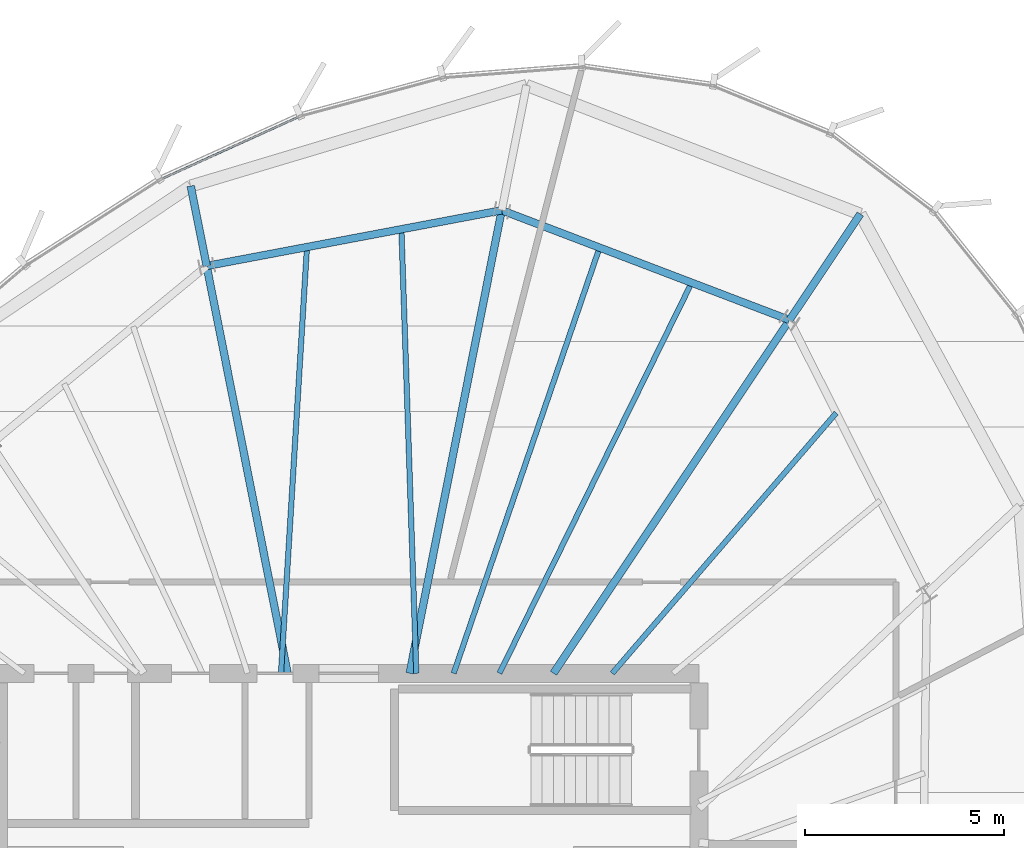
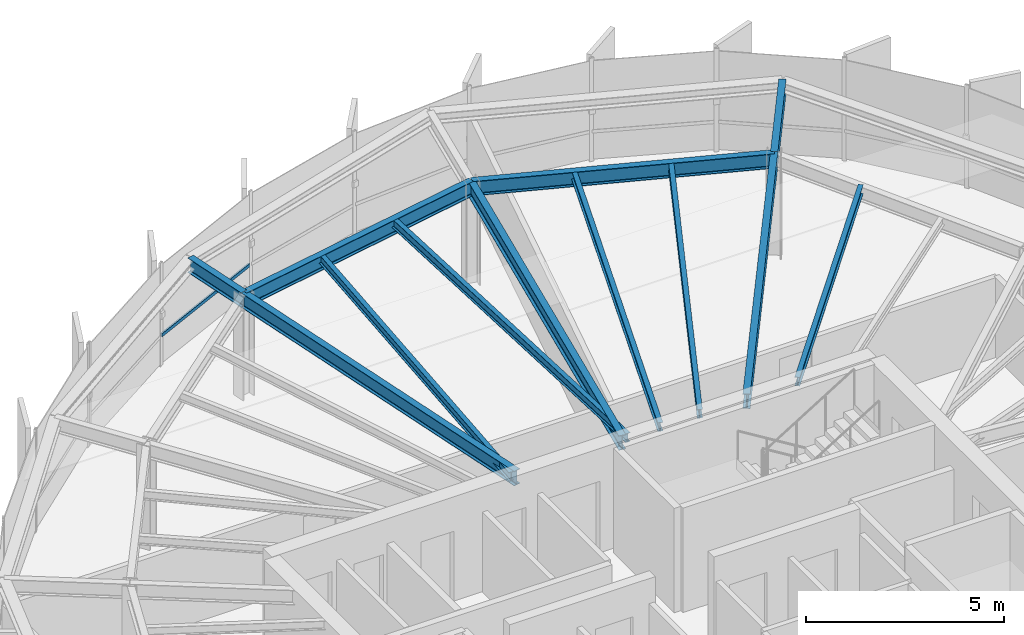
# One storey, part 20 of 31: 12 beams, 1 member, 1 element without a shape of its own.
"""IFC4 building model written with IfcOpenShell, lengths in metres."""

from ifc_helpers import new_model, si_unit, direction, frame, origin, origin_2d, place, context, subcontext, project, spatial, hollow_rectangle, i_section, extrude, source, transform, mapped, material, layer, layer_set, material_profile, profile_set, type_object, element, aggregate, save


model = new_model("IFC4")

# Units and contexts
model_context = context("Model", 3, precision=1e-05, world=origin(), true_north=direction((0.0, 1.0)))
body_context = subcontext(model_context, "Body", "Model", "MODEL_VIEW")
ifc_project = project(units=[si_unit("LENGTHUNIT", "METRE"), si_unit("AREAUNIT", "SQUARE_METRE"), si_unit("VOLUMEUNIT", "CUBIC_METRE"), si_unit("PLANEANGLEUNIT", "RADIAN"), si_unit("MASSUNIT", "GRAM", prefix="KILO"), si_unit("THERMODYNAMICTEMPERATUREUNIT", "KELVIN")], contexts=[model_context])

# Site, building, storey
site_placement = place(None, origin())
site = spatial("IfcSite", under=ifc_project, at=site_placement, CompositionType="ELEMENT")
building_placement = place(site_placement, origin())
building = spatial("IfcBuilding", under=site, at=building_placement, Name="Kethvar Cultural Tower", CompositionType="ELEMENT")
storey_placement = place(building_placement, frame((0.0, 0.0, 276.699951171875)))
storey = spatial("IfcBuildingStorey", under=building, at=storey_placement, Name="L73", CompositionType="ELEMENT", Elevation=276.699951171875)

# Beams
ifc_material_1 = material(Name="Steel S355J2", Category="steel")
ifc_material_profile_1 = material_profile(ifc_material_1, i_section(OverallWidth=0.18994140625, OverallDepth=0.449951171875, WebThickness=0.009521484375, FlangeThickness=0.0146484375, FilletRadius=0.02099609375, at=origin_2d()), Name="Steel S355J2 — IPE450")
ifc_profile_set_1 = profile_set([ifc_material_profile_1], Name="Steel S355J2 — IPE450")
beam_type_1 = type_object("IfcBeamType", Name="BM-IPE450", PredefinedType="BEAM", material=ifc_profile_set_1)
shared_shape_1 = source(origin(), body_context, "Body", "SweptSolid", [
    extrude(i_section(OverallWidth=0.18994140625, OverallDepth=0.449951171875, WebThickness=0.009521484375, FlangeThickness=0.0146484375, FilletRadius=0.02099609375, at=origin_2d()), origin(), (0.0, 0.0, 1.0), 10.673828125),
])
beam_1_placement = place(storey_placement, frame((51.945068359375, 35.5, 2.983154296875), z_axis=(0.555576086183, 0.831465701314, 0.0), x_axis=(-0.831465701314, 0.555576086183, 0.0)))
element("IfcBeam", 1, at=beam_1_placement, inside=storey, type_object=beam_type_1, Name="L73 Primary Radial Beam RB-03", PredefinedType="BEAM", context=body_context, shape_type="MappedRepresentation", body=[
    mapped(shared_shape_1, transform((0.0, 0.0, 0.0), scale=1.0)),
])
shared_shape_2 = source(origin(), body_context, "Body", "SweptSolid", [
    extrude(i_section(OverallWidth=0.18994140625, OverallDepth=0.449951171875, WebThickness=0.009521484375, FlangeThickness=0.0146484375, FilletRadius=0.02099609375, at=origin_2d()), origin(), (0.0, 0.0, 1.0), 3.2001953125),
])
beam_2_placement = place(storey_placement, frame((57.875244140625, 44.375, 2.983154296875), z_axis=(0.555544970406, 0.831486491686, 0.0), x_axis=(-0.831486491686, 0.555544970406, 0.0)))
element("IfcBeam", 2, at=beam_2_placement, inside=storey, type_object=beam_type_1, Name="L73 Perimeter Cantilever Beam RC-03", PredefinedType="BEAM", context=body_context, shape_type="MappedRepresentation", body=[
    mapped(shared_shape_2, transform((0.0, 0.0, 0.0), scale=1.0)),
])
shared_shape_3 = source(origin(), body_context, "Body", "SweptSolid", [
    extrude(i_section(OverallWidth=0.18994140625, OverallDepth=0.449951171875, WebThickness=0.009521484375, FlangeThickness=0.0146484375, FilletRadius=0.02099609375, at=origin_2d()), origin(), (0.0, 0.0, 1.0), 11.859375),
])
beam_3_placement = place(storey_placement, frame((48.33154296875, 35.5, 2.983154296875), z_axis=(0.195094640585, 0.980784421377, 0.0), x_axis=(-0.980784421377, 0.195094640585, 0.0)))
element("IfcBeam", 3, at=beam_3_placement, inside=storey, type_object=beam_type_1, Name="L73 Primary Radial Beam RB-04", PredefinedType="BEAM", context=body_context, shape_type="MappedRepresentation", body=[
    mapped(shared_shape_3, transform((0.0, 0.0, 0.0), scale=1.0)),
])
shared_shape_4 = source(origin(), body_context, "Body", "SweptSolid", [
    extrude(i_section(OverallWidth=0.18994140625, OverallDepth=0.449951171875, WebThickness=0.009521484375, FlangeThickness=0.0146484375, FilletRadius=0.02099609375, at=origin_2d()), origin(), (0.0, 0.0, 1.0), 10.432861328125),
])
beam_4_placement = place(storey_placement, frame((45.268310546875, 35.5, 2.983154296875), z_axis=(-0.195094483249, 0.980784452673, 0.0), x_axis=(-0.980784452673, -0.195094483249, 0.0)))
element("IfcBeam", 4, at=beam_4_placement, inside=storey, type_object=beam_type_1, Name="L73 Primary Radial Beam RB-05", PredefinedType="BEAM", context=body_context, shape_type="MappedRepresentation", body=[
    mapped(shared_shape_4, transform((0.0, 0.0, 0.0), scale=1.0)),
])
ifc_material_profile_2 = material_profile(ifc_material_1, i_section(OverallWidth=0.135009765625, OverallDepth=0.27001953125, WebThickness=0.006591796875, FlangeThickness=0.01025390625, FilletRadius=0.014892578125, at=origin_2d()), Name="Steel S355J2 — IPE270")
ifc_profile_set_2 = profile_set([ifc_material_profile_2], Name="Steel S355J2 — IPE270")
beam_type_2 = type_object("IfcBeamType", Name="BM-J270", PredefinedType="JOIST", material=ifc_profile_set_2)
shared_shape_5 = source(origin(), body_context, "Body", "SweptSolid", [
    extrude(i_section(OverallWidth=0.135009765625, OverallDepth=0.27001953125, WebThickness=0.006591796875, FlangeThickness=0.01025390625, FilletRadius=0.014892578125, at=origin_2d()), origin(), (0.0, 0.0, 1.0), 8.6259765625),
])
beam_5_placement = place(storey_placement, frame((53.42333984375, 35.5, 3.072998046875), z_axis=(0.65210499689, 0.758128665222, 0.0), x_axis=(-0.758128665222, 0.65210499689, 0.0)))
element("IfcBeam", 5, at=beam_5_placement, inside=storey, type_object=beam_type_2, Name="L73 Composite Floor Joist J-02B", PredefinedType="JOIST", context=body_context, shape_type="MappedRepresentation", body=[
    mapped(shared_shape_5, transform((0.0, 0.0, 0.0), scale=1.0)),
])
shared_shape_6 = source(origin(), body_context, "Body", "SweptSolid", [
    extrude(i_section(OverallWidth=0.18994140625, OverallDepth=0.449951171875, WebThickness=0.009521484375, FlangeThickness=0.0146484375, FilletRadius=0.02099609375, at=origin_2d()), origin(), (0.0, 0.0, 1.0), 7.737548828125),
])
beam_6_placement = place(storey_placement, frame((57.875244140625, 44.375, 2.983154296875), z_axis=(-0.934388230776, 0.356256416347, 0.0), x_axis=(-0.356256416347, -0.934388230776, 0.0)))
element("IfcBeam", 6, at=beam_6_placement, inside=storey, type_object=beam_type_1, Name="L73 Column Ring Tie Beam CR-03", PredefinedType="BEAM", context=body_context, shape_type="MappedRepresentation", body=[
    mapped(shared_shape_6, transform((0.0, 0.0, 0.0), scale=1.0)),
])
shared_shape_7 = source(origin(), body_context, "Body", "SweptSolid", [
    extrude(i_section(OverallWidth=0.135009765625, OverallDepth=0.27001953125, WebThickness=0.006591796875, FlangeThickness=0.01025390625, FilletRadius=0.014892578125, at=origin_2d()), origin(), (0.0, 0.0, 1.0), 10.935791015625),
])
beam_7_placement = place(storey_placement, frame((50.5888671875, 35.5, 3.072998046875), z_axis=(0.441498236677, 0.897262117227, 0.0), x_axis=(-0.897262117227, 0.441498236677, 0.0)))
element("IfcBeam", 7, at=beam_7_placement, inside=storey, type_object=beam_type_2, Name="L73 Composite Floor Joist J-03A", PredefinedType="JOIST", context=body_context, shape_type="MappedRepresentation", body=[
    mapped(shared_shape_7, transform((0.0, 0.0, 0.0), scale=1.0)),
])
shared_shape_8 = source(origin(), body_context, "Body", "SweptSolid", [
    extrude(i_section(OverallWidth=0.135009765625, OverallDepth=0.27001953125, WebThickness=0.006591796875, FlangeThickness=0.01025390625, FilletRadius=0.014892578125, at=origin_2d()), origin(), (0.0, 0.0, 1.0), 11.304931640625),
])
beam_8_placement = place(storey_placement, frame((49.438720703125, 35.5, 3.072998046875), z_axis=(0.324179110764, 0.945995720997, 0.0), x_axis=(-0.945995720997, 0.324179110764, 0.0)))
element("IfcBeam", 8, at=beam_8_placement, inside=storey, type_object=beam_type_2, Name="L73 Composite Floor Joist J-03B", PredefinedType="JOIST", context=body_context, shape_type="MappedRepresentation", body=[
    mapped(shared_shape_8, transform((0.0, 0.0, 0.0), scale=1.0)),
])
shared_shape_9 = source(origin(), body_context, "Body", "SweptSolid", [
    extrude(i_section(OverallWidth=0.18994140625, OverallDepth=0.449951171875, WebThickness=0.009521484375, FlangeThickness=0.0146484375, FilletRadius=0.02099609375, at=origin_2d()), origin(), (0.0, 0.0, 1.0), 7.543212890625),
])
beam_9_placement = place(storey_placement, frame((50.645263671875, 47.131591796875, 2.983154296875), z_axis=(-0.982646853086, -0.185486285532, 0.0), x_axis=(0.185486285532, -0.982646853086, 0.0)))
element("IfcBeam", 9, at=beam_9_placement, inside=storey, type_object=beam_type_1, Name="L73 Column Ring Tie Beam CR-04", PredefinedType="BEAM", context=body_context, shape_type="MappedRepresentation", body=[
    mapped(shared_shape_9, transform((0.0, 0.0, 0.0), scale=1.0)),
])
shared_shape_10 = source(origin(), body_context, "Body", "SweptSolid", [
    extrude(i_section(OverallWidth=0.135009765625, OverallDepth=0.27001953125, WebThickness=0.006591796875, FlangeThickness=0.01025390625, FilletRadius=0.014892578125, at=origin_2d()), origin(), (0.0, 0.0, 1.0), 11.162109375),
])
beam_10_placement = place(storey_placement, frame((48.5, 35.5, 3.072998046875), z_axis=(-0.0335959409, 0.999435497046, 0.0), x_axis=(-0.999435497046, -0.0335959409, 0.0)))
element("IfcBeam", 10, at=beam_10_placement, inside=storey, type_object=beam_type_2, Name="L73 Composite Floor Joist J-04A", PredefinedType="JOIST", context=body_context, shape_type="MappedRepresentation", body=[
    mapped(shared_shape_10, transform((0.0, 0.0, 0.0), scale=1.0)),
])
shared_shape_11 = source(origin(), body_context, "Body", "SweptSolid", [
    extrude(i_section(OverallWidth=0.135009765625, OverallDepth=0.27001953125, WebThickness=0.006591796875, FlangeThickness=0.01025390625, FilletRadius=0.014892578125, at=origin_2d()), origin(), (0.0, 0.0, 1.0), 10.727783203125),
])
beam_11_placement = place(storey_placement, frame((45.10009765625, 35.5, 3.072998046875), z_axis=(0.060876395586, 0.998145312297, 0.0), x_axis=(-0.998145312297, 0.060876395586, 0.0)))
element("IfcBeam", 11, at=beam_11_placement, inside=storey, type_object=beam_type_2, Name="L73 Composite Floor Joist J-04B", PredefinedType="JOIST", context=body_context, shape_type="MappedRepresentation", body=[
    mapped(shared_shape_11, transform((0.0, 0.0, 0.0), scale=1.0)),
])
shared_shape_12 = source(origin(), body_context, "Body", "SweptSolid", [
    extrude(i_section(OverallWidth=0.18994140625, OverallDepth=0.449951171875, WebThickness=0.009521484375, FlangeThickness=0.0146484375, FilletRadius=0.02099609375, at=origin_2d()), origin(), (0.0, 0.0, 1.0), 2.049072265625),
])
beam_12_placement = place(storey_placement, frame((43.23291015625, 45.732421875, 2.983154296875), z_axis=(-0.195039136159, 0.980795460515, 0.0), x_axis=(-0.980795460515, -0.195039136159, 0.0)))
element("IfcBeam", 12, at=beam_12_placement, inside=storey, type_object=beam_type_1, Name="L73 Perimeter Cantilever Beam RC-05", PredefinedType="BEAM", context=body_context, shape_type="MappedRepresentation", body=[
    mapped(shared_shape_12, transform((0.0, 0.0, 0.0), scale=1.0)),
])

# Curtain wall, member
ifc_material_2 = material(Name="Aluminium 6063-T6", Category="aluminium")
ifc_layer = layer(ifc_material_2, 0.179931640625, Name="Aluminium 6063-T6", Category="aluminium")
ifc_layer_set = layer_set([ifc_layer], Name="Aluminium 6063-T6 (180 mm)")
curtain_wall_type = type_object("IfcCurtainWallType", Name="CW-SYS-05-Z56", PredefinedType="NOTDEFINED", material=ifc_layer_set)
curtain_wall_placement = place(storey_placement, origin())
curtain_wall = element("IfcCurtainWall", 13, at=curtain_wall_placement, inside=storey, type_object=curtain_wall_type, Name="L73 Curtain Wall Run 01", PredefinedType="NOTDEFINED")
ifc_material_profile_3 = material_profile(ifc_material_2, hollow_rectangle(XDim=0.050048828125, YDim=0.10009765625, WallThickness=0.00390625, at=origin_2d()), Name="Aluminium 6063-T6 — RHS100x50x4")
ifc_profile_set_3 = profile_set([ifc_material_profile_3], Name="Aluminium 6063-T6 — RHS100x50x4")
member_type = type_object("IfcMemberType", Name="CW-SYS-05-Z56-TRN", PredefinedType="USERDEFINED", material=ifc_profile_set_3)
shared_shape_13 = source(origin(), body_context, "Body", "SweptSolid", [
    extrude(hollow_rectangle(XDim=0.050048828125, YDim=0.10009765625, WallThickness=0.00390625, at=origin_2d()), origin(), (0.0, 0.0, 1.0), 3.804443359375),
])
member_placement = place(storey_placement, frame((45.551025390625, 49.481201171875, 0.949951171875), z_axis=(-0.910904126002, -0.41261807187, 0.0), x_axis=(0.41261807187, -0.910904126002, 0.0)))
member = element("IfcMember", 14, at=member_placement, type_object=member_type, Name="CW-L73-R01 Transom 5", ObjectType="TRANSOM", PredefinedType="USERDEFINED", context=body_context, shape_type="MappedRepresentation", body=[
    mapped(shared_shape_13, transform((0.0, 0.0, 0.0), scale=1.0)),
])
aggregate(curtain_wall, [member])

save(model, "model.ifc")
